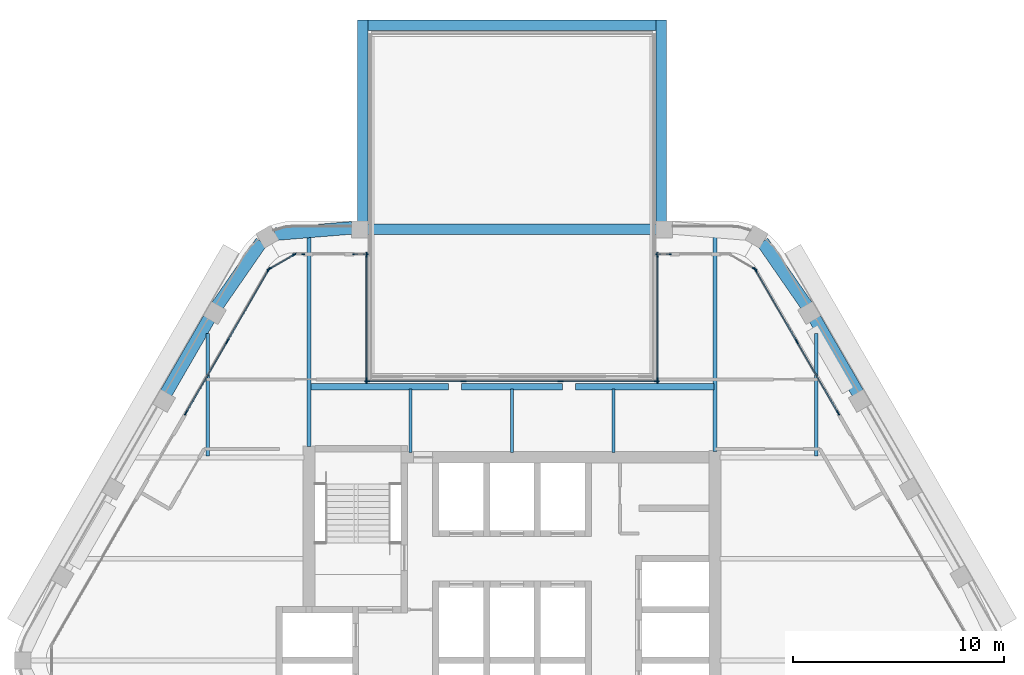
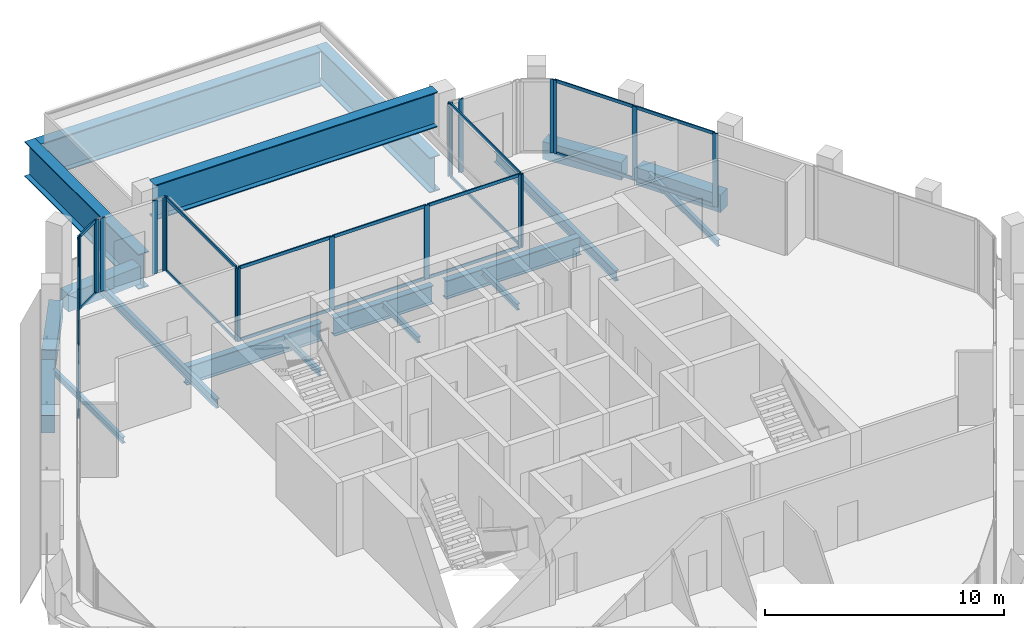
# One storey, part 5 of 16: 43 members, 19 beams, 10 elements without a shape of their own.
"""IFC4 building model written with IfcOpenShell, lengths in metres."""

from ifc_helpers import new_model, si_unit, direction, frame, origin, origin_2d, place, context, subcontext, project, spatial, rectangle, i_section, extrude, material, material_profile, profile_set, type_object, element, aggregate, save


model = new_model("IFC4")

# Units and contexts
model_context = context("Model", 3, precision=1e-05, world=origin(), true_north=direction((0.0, 1.0)))
body_context = subcontext(model_context, "Body", "Model", "MODEL_VIEW")
ifc_project = project(units=[si_unit("LENGTHUNIT", "METRE"), si_unit("AREAUNIT", "SQUARE_METRE"), si_unit("VOLUMEUNIT", "CUBIC_METRE"), si_unit("PLANEANGLEUNIT", "RADIAN"), si_unit("MASSUNIT", "GRAM", prefix="KILO")], contexts=[model_context])

# Site, building, storey
site_placement = place(None, origin())
site = spatial("IfcSite", under=ifc_project, at=site_placement, CompositionType="ELEMENT")
building_placement = place(site_placement, origin())
building = spatial("IfcBuilding", under=site, at=building_placement, Name="Kolab Exchange Tower", CompositionType="ELEMENT")
storey_placement = place(building_placement, frame((0.0, 0.0, 269.60009765625)))
storey = spatial("IfcBuildingStorey", under=building, at=storey_placement, Name="L60", CompositionType="ELEMENT", Elevation=269.60009765625)

# Beams
ifc_material_1 = material(Name="Steel S355", Category="steel")
ifc_material_profile_1 = material_profile(ifc_material_1, i_section(OverallWidth=0.1650390625, OverallDepth=0.31005859375, WebThickness=0.005859375, FlangeThickness=0.009765625, at=origin_2d()), Name="W310X39")
ifc_profile_set_1 = profile_set([ifc_material_profile_1], Name="Steel S355")
beam_type_1 = type_object("IfcBeamType", Name="FLOOR BEAM W310X39", PredefinedType="BEAM", material=ifc_profile_set_1)
beam_1_placement = place(storey_placement, frame((-14.39990234375, 9.674072265625, -0.30517578125), z_axis=(0.0, 1.0, 0.0), x_axis=(-1.0, 0.0, 0.0)))
element("IfcBeam", 1, at=beam_1_placement, inside=storey, type_object=beam_type_1, Name="beam/L60/fr/004", PredefinedType="BEAM", context=body_context, shape_type="SweptSolid", body=[
    extrude(i_section(OverallWidth=0.1650390625, OverallDepth=0.31005859375, WebThickness=0.005859375, FlangeThickness=0.009765625, at=origin_2d()), origin(), (0.0, 0.0, 1.0), 5.793701171875),
])
for number, where, z_axis, x_axis, name in (
    (2, (-4.800048828125, 9.8349609375, -0.30517578125), (0.0, 1.0, 0.0), (-1.0, 0.0, 0.0), "beam/L60/fr/008"),
    (3, (0.0, 9.8349609375, -0.30517578125), (0.0, 1.0, 0.0), (-1.0, 0.0, 0.0), "beam/L60/fr/010"),
    (4, (4.800048828125, 9.8349609375, -0.30517578125), (0.0, 1.0, 0.0), (-1.0, 0.0, 0.0), "beam/L60/fr/012"),
):
    element("IfcBeam", number, at=place(storey_placement, frame(where, z_axis=z_axis, x_axis=x_axis)), inside=storey, type_object=beam_type_1, Name=name, PredefinedType="BEAM", context=body_context, shape_type="SweptSolid", body=[
        extrude(i_section(OverallWidth=0.1650390625, OverallDepth=0.31005859375, WebThickness=0.005859375, FlangeThickness=0.009765625, at=origin_2d()), origin(), (0.0, 0.0, 1.0), 2.98974609375),
    ])
beam_2_placement = place(storey_placement, frame((14.39990234375, 9.674072265625, -0.30517578125), z_axis=(0.0, 1.0, 0.0), x_axis=(-1.0, 0.0, 0.0)))
element("IfcBeam", 5, at=beam_2_placement, inside=storey, type_object=beam_type_1, Name="beam/L60/fr/019", PredefinedType="BEAM", context=body_context, shape_type="SweptSolid", body=[
    extrude(i_section(OverallWidth=0.1650390625, OverallDepth=0.31005859375, WebThickness=0.005859375, FlangeThickness=0.009765625, at=origin_2d()), origin(), (0.0, 0.0, 1.0), 5.793701171875),
])
ifc_material_profile_2 = material_profile(ifc_material_1, i_section(OverallWidth=0.18994140625, OverallDepth=0.45703125, WebThickness=0.009033203125, FlangeThickness=0.014404296875, at=origin_2d()), Name="W460X74")
ifc_profile_set_2 = profile_set([ifc_material_profile_2], Name="Steel S355")
beam_type_2 = type_object("IfcBeamType", Name="FLOOR BEAM W460X74", PredefinedType="BEAM", material=ifc_profile_set_2)
beam_3_placement = place(storey_placement, frame((-9.60009765625, 10.110107421875, -0.378662109375), z_axis=(0.0, 1.0, 0.0), x_axis=(-1.0, 0.0, 0.0)))
element("IfcBeam", 6, at=beam_3_placement, inside=storey, type_object=beam_type_2, Name="beam/L60/fr/006", PredefinedType="BEAM", context=body_context, shape_type="SweptSolid", body=[
    extrude(i_section(OverallWidth=0.18994140625, OverallDepth=0.45703125, WebThickness=0.009033203125, FlangeThickness=0.014404296875, at=origin_2d()), origin(), (0.0, 0.0, 1.0), 9.9169921875),
])
ifc_material_profile_3 = material_profile(ifc_material_1, i_section(OverallWidth=0.208984375, OverallDepth=0.532958984375, WebThickness=0.01025390625, FlangeThickness=0.015625, at=origin_2d()), Name="W530X92")
ifc_profile_set_3 = profile_set([ifc_material_profile_3], Name="Steel S355")
beam_type_3 = type_object("IfcBeamType", Name="FLOOR BEAM W530X92", PredefinedType="BEAM", material=ifc_profile_set_3)
beam_4_placement = place(storey_placement, frame((9.60009765625, 9.885009765625, -0.41650390625), z_axis=(0.0, 1.0, 0.0), x_axis=(-1.0, 0.0, 0.0)))
element("IfcBeam", 7, at=beam_4_placement, inside=storey, type_object=beam_type_3, Name="beam/L60/fr/014", PredefinedType="BEAM", context=body_context, shape_type="SweptSolid", body=[
    extrude(i_section(OverallWidth=0.208984375, OverallDepth=0.532958984375, WebThickness=0.01025390625, FlangeThickness=0.015625, at=origin_2d()), origin(), (0.0, 0.0, 1.0), 10.14208984375),
])
ifc_material_profile_4 = material_profile(ifc_material_1, i_section(OverallWidth=0.30908203125, OverallDepth=0.93310546875, WebThickness=0.01806640625, FlangeThickness=0.027587890625, at=origin_2d()), Name="W920X238")
ifc_profile_set_4 = profile_set([ifc_material_profile_4], Name="Steel S355")
beam_type_4 = type_object("IfcBeamType", Name="FLOOR GIRDER W920X238", PredefinedType="BEAM", material=ifc_profile_set_4)
beam_5_placement = place(storey_placement, frame((-9.550048828125, 12.9345703125, -0.61669921875), z_axis=(1.0, 0.0, 0.0), x_axis=(0.0, 1.0, 0.0)))
element("IfcBeam", 8, at=beam_5_placement, inside=storey, type_object=beam_type_4, Name="beam/L60/basin-edge/0", PredefinedType="BEAM", context=body_context, shape_type="SweptSolid", body=[
    extrude(i_section(OverallWidth=0.30908203125, OverallDepth=0.93310546875, WebThickness=0.01806640625, FlangeThickness=0.027587890625, at=origin_2d()), origin(), (0.0, 0.0, 1.0), 6.5400390625),
])
beam_6_placement = place(storey_placement, frame((-2.389892578125, 12.9345703125, -0.61669921875), z_axis=(1.0, 0.0, 0.0), x_axis=(0.0, 1.0, 0.0)))
element("IfcBeam", 9, at=beam_6_placement, inside=storey, type_object=beam_type_4, Name="beam/L60/basin-edge/1", PredefinedType="BEAM", context=body_context, shape_type="SweptSolid", body=[
    extrude(i_section(OverallWidth=0.30908203125, OverallDepth=0.93310546875, WebThickness=0.01806640625, FlangeThickness=0.027587890625, at=origin_2d()), origin(), (0.0, 0.0, 1.0), 4.77978515625),
])
beam_7_placement = place(storey_placement, frame((3.010009765625, 12.9345703125, -0.61669921875), z_axis=(1.0, 0.0, 0.0), x_axis=(0.0, 1.0, 0.0)))
element("IfcBeam", 10, at=beam_7_placement, inside=storey, type_object=beam_type_4, Name="beam/L60/basin-edge/2", PredefinedType="BEAM", context=body_context, shape_type="SweptSolid", body=[
    extrude(i_section(OverallWidth=0.30908203125, OverallDepth=0.93310546875, WebThickness=0.01806640625, FlangeThickness=0.027587890625, at=origin_2d()), origin(), (0.0, 0.0, 1.0), 6.5400390625),
])
ifc_material_profile_5 = material_profile(ifc_material_1, i_section(OverallWidth=0.5, OverallDepth=1.800048828125, WebThickness=0.031982421875, FlangeThickness=0.050048828125, at=origin_2d()), Name="PG1800X500")
ifc_profile_set_5 = profile_set([ifc_material_profile_5], Name="Steel S355")
beam_type_5 = type_object("IfcBeamType", Name="POOL GIRDER PG1800X500", PredefinedType="BEAM", material=ifc_profile_set_5)
for number, where, z_axis, x_axis, name in (
    (11, (-7.050048828125, 20.74462890625, -0.900146484375), (0.0, 1.0, 0.0), (-1.0, 0.0, 0.0), "beam/L60/pool/W-edge"),
    (12, (7.050048828125, 20.74462890625, -0.900146484375), (0.0, 1.0, 0.0), (-1.0, 0.0, 0.0), "beam/L60/pool/E-edge"),
):
    element("IfcBeam", number, at=place(storey_placement, frame(where, z_axis=z_axis, x_axis=x_axis)), inside=storey, type_object=beam_type_5, Name=name, PredefinedType="BEAM", context=body_context, shape_type="SweptSolid", body=[
        extrude(i_section(OverallWidth=0.5, OverallDepth=1.800048828125, WebThickness=0.031982421875, FlangeThickness=0.050048828125, at=origin_2d()), origin(), (0.0, 0.0, 1.0), 9.5400390625),
    ])
beam_8_placement = place(storey_placement, frame((-6.840087890625, 30.03466796875, -0.900146484375), z_axis=(1.0, 0.0, 0.0), x_axis=(0.0, 1.0, 0.0)))
element("IfcBeam", 13, at=beam_8_placement, inside=storey, type_object=beam_type_5, Name="beam/L60/pool/tip-edge", PredefinedType="BEAM", context=body_context, shape_type="SweptSolid", body=[
    extrude(i_section(OverallWidth=0.5, OverallDepth=1.800048828125, WebThickness=0.031982421875, FlangeThickness=0.050048828125, at=origin_2d()), origin(), (0.0, 0.0, 1.0), 13.68017578125),
])
ifc_material_2 = material(Name="Concrete C50/60", Category="concrete")
ifc_material_profile_6 = material_profile(ifc_material_2, rectangle(XDim=0.60009765625, YDim=0.89990234375, at=origin_2d()), Name="RC600X900")
ifc_profile_set_6 = profile_set([ifc_material_profile_6], Name="Concrete C50/60")
beam_type_6 = type_object("IfcBeamType", Name="SPANDREL BEAM 600X900 C50/60", PredefinedType="BEAM", material=ifc_profile_set_6)
for number, where, z_axis, x_axis, name in (
    (14, (-11.216796875, 20.15576171875, -0.60009765625), (0.996666751878, 0.081580547323, 0.0), (-0.081580547323, 0.996666751878, 0.0), "beam/L60/sp/F1-01"),
    (15, (11.846923828125, 19.7919921875, -0.60009765625), (0.569005808573, -0.822333502789, 0.0), (0.822333502789, 0.569005808573, 0.0), "beam/L60/sp/F2-01"),
):
    element("IfcBeam", number, at=place(storey_placement, frame(where, z_axis=z_axis, x_axis=x_axis)), inside=storey, type_object=beam_type_6, Name=name, PredefinedType="BEAM", context=body_context, shape_type="SweptSolid", body=[
        extrude(rectangle(XDim=0.60009765625, YDim=0.89990234375, at=origin_2d()), origin(), (0.0, 0.0, 1.0), 3.6689453125),
    ])
for number, where, z_axis, x_axis, name in (
    (16, (14.3203125, 16.166015625, -0.60009765625), (0.499955548806, -0.866051066172, 0.0), (0.866051066172, 0.499955548806, 0.0), "beam/L60/sp/F2-02"),
    (17, (-16.360107421875, 12.632568359375, -0.60009765625), (0.499955548806, 0.866051066172, 0.0), (-0.866051066172, 0.499955548806, 0.0), "beam/L60/sp/F6-04"),
):
    element("IfcBeam", number, at=place(storey_placement, frame(where, z_axis=z_axis, x_axis=x_axis)), inside=storey, type_object=beam_type_6, Name=name, PredefinedType="BEAM", context=body_context, shape_type="SweptSolid", body=[
        extrude(rectangle(XDim=0.60009765625, YDim=0.89990234375, at=origin_2d()), origin(), (0.0, 0.0, 1.0), 4.079833984375),
    ])
beam_9_placement = place(storey_placement, frame((-13.9345703125, 16.77490234375, -0.60009765625), z_axis=(0.569005808573, 0.822333502789, 0.0), x_axis=(-0.822333502789, 0.569005808573, 0.0)))
element("IfcBeam", 18, at=beam_9_placement, inside=storey, type_object=beam_type_6, Name="beam/L60/sp/F6-05", PredefinedType="BEAM", context=body_context, shape_type="SweptSolid", body=[
    extrude(rectangle(XDim=0.60009765625, YDim=0.89990234375, at=origin_2d()), origin(), (0.0, 0.0, 1.0), 3.6689453125),
])
ifc_material_profile_7 = material_profile(ifc_material_1, i_section(OverallWidth=0.5, OverallDepth=1.800048828125, WebThickness=0.031982421875, FlangeThickness=0.050048828125, at=origin_2d()), Name="PG1800X500")
ifc_profile_set_7 = profile_set([ifc_material_profile_7], Name="Steel S355")
beam_type_7 = type_object("IfcBeamType", Name="TRANSFER GIRDER PG1800X500", PredefinedType="BEAM", material=ifc_profile_set_7)
beam_10_placement = place(storey_placement, frame((-6.840087890625, 20.384521484375, 2.849853515625), z_axis=(1.0, 0.0, 0.0), x_axis=(0.0, 1.0, 0.0)))
element("IfcBeam", 19, at=beam_10_placement, inside=storey, type_object=beam_type_7, Name="beam/L60/pool/tg", PredefinedType="BEAM", context=body_context, shape_type="SweptSolid", body=[
    extrude(i_section(OverallWidth=0.5, OverallDepth=1.800048828125, WebThickness=0.031982421875, FlangeThickness=0.050048828125, at=origin_2d()), origin(), (0.0, 0.0, 1.0), 13.68017578125),
])

# Curtain wall, members
ifc_material_3 = material(Name="Aluminium EN AW-6063 T6", Category="aluminium")
curtain_wall_type = type_object("IfcCurtainWallType", Name="UNITISED HIGH ZONE CURTAIN WALL", PredefinedType="NOTDEFINED", material=ifc_material_3)
curtain_wall_1_placement = place(storey_placement, origin())
curtain_wall_1 = element("IfcCurtainWall", 20, at=curtain_wall_1_placement, inside=storey, type_object=curtain_wall_type, Name="cw/L60/F1-l-1", PredefinedType="NOTDEFINED")
ifc_material_profile_8 = material_profile(ifc_material_3, rectangle(XDim=0.06005859375, YDim=0.239990234375, at=origin_2d()), Name="RECT 60X240")
ifc_profile_set_8 = profile_set([ifc_material_profile_8], Name="Aluminium EN AW-6063 T6")
member_type_1 = type_object("IfcMemberType", Name="UNITISED HIGH ZONE MULLION 60 X 240", PredefinedType="MULLION", material=ifc_profile_set_8)
member_1_placement = place(storey_placement, frame((-10.238037109375, 19.20458984375, 0.0), z_axis=(0.0, 0.0, 1.0), x_axis=(0.0, 1.0, 0.0)))
member_1 = element("IfcMember", 21, at=member_1_placement, type_object=member_type_1, Name="CW4 mullion 1", PredefinedType="MULLION", context=body_context, shape_type="SweptSolid", body=[
    extrude(rectangle(XDim=0.06005859375, YDim=0.239990234375, at=origin_2d()), origin(), (0.0, 0.0, 1.0), 3.75),
])
member_2_placement = place(storey_placement, frame((-9.927978515625, 19.20458984375, 0.0), z_axis=(0.0, 0.0, 1.0), x_axis=(0.0, 1.0, 0.0)))
member_2 = element("IfcMember", 22, at=member_2_placement, type_object=member_type_1, Name="CW4 mullion 2", PredefinedType="MULLION", context=body_context, shape_type="SweptSolid", body=[
    extrude(rectangle(XDim=0.06005859375, YDim=0.239990234375, at=origin_2d()), origin(), (0.0, 0.0, 1.0), 3.75),
])
aggregate(curtain_wall_1, [member_1, member_2])

curtain_wall_2_placement = place(storey_placement, origin())
curtain_wall_2 = element("IfcCurtainWall", 23, at=curtain_wall_2_placement, inside=storey, type_object=curtain_wall_type, Name="cw/L60/F1-l-2", PredefinedType="NOTDEFINED")
member_3_placement = place(storey_placement, frame((-7.407958984375, 19.20458984375, 0.0), z_axis=(0.0, 0.0, 1.0), x_axis=(0.0, 1.0, 0.0)))
member_3 = element("IfcMember", 24, at=member_3_placement, type_object=member_type_1, Name="CW4 mullion 1", PredefinedType="MULLION", context=body_context, shape_type="SweptSolid", body=[
    extrude(rectangle(XDim=0.06005859375, YDim=0.239990234375, at=origin_2d()), origin(), (0.0, 0.0, 1.0), 3.75),
])
member_4_placement = place(storey_placement, frame((-6.909912109375, 19.20458984375, 0.0), z_axis=(0.0, 0.0, 1.0), x_axis=(0.0, 1.0, 0.0)))
member_4 = element("IfcMember", 25, at=member_4_placement, type_object=member_type_1, Name="CW4 mullion 2", PredefinedType="MULLION", context=body_context, shape_type="SweptSolid", body=[
    extrude(rectangle(XDim=0.06005859375, YDim=0.239990234375, at=origin_2d()), origin(), (0.0, 0.0, 1.0), 3.75),
])
aggregate(curtain_wall_2, [member_3, member_4])

curtain_wall_3_placement = place(storey_placement, origin())
curtain_wall_3 = element("IfcCurtainWall", 26, at=curtain_wall_3_placement, inside=storey, type_object=curtain_wall_type, Name="cw/L60/F1-rl-1", PredefinedType="NOTDEFINED")
member_5_placement = place(storey_placement, frame((-6.8798828125, 19.174560546875, 0.0), z_axis=(0.0, 0.0, 1.0), x_axis=(1.0, 0.0, 0.0)))
member_5 = element("IfcMember", 27, at=member_5_placement, type_object=member_type_1, Name="CW4 mullion 1", PredefinedType="MULLION", context=body_context, shape_type="SweptSolid", body=[
    extrude(rectangle(XDim=0.06005859375, YDim=0.239990234375, at=origin_2d()), origin(), (0.0, 0.0, 1.0), 3.75),
])
member_6_placement = place(storey_placement, frame((-6.8798828125, 13.234619140625, 0.0), z_axis=(0.0, 0.0, 1.0), x_axis=(1.0, 0.0, 0.0)))
member_6 = element("IfcMember", 28, at=member_6_placement, type_object=member_type_1, Name="CW4 mullion 2", PredefinedType="MULLION", context=body_context, shape_type="SweptSolid", body=[
    extrude(rectangle(XDim=0.06005859375, YDim=0.239990234375, at=origin_2d()), origin(), (0.0, 0.0, 1.0), 3.75),
])

curtain_wall_4_placement = place(storey_placement, origin())
curtain_wall_4 = element("IfcCurtainWall", 29, at=curtain_wall_4_placement, inside=storey, type_object=curtain_wall_type, Name="cw/L60/F1-back-1", PredefinedType="NOTDEFINED")
member_7_placement = place(storey_placement, frame((-6.85009765625, 13.20458984375, 0.0), z_axis=(0.0, 0.0, 1.0), x_axis=(0.0, 1.0, 0.0)))
member_7 = element("IfcMember", 30, at=member_7_placement, type_object=member_type_1, Name="CW4 mullion 1", PredefinedType="MULLION", context=body_context, shape_type="SweptSolid", body=[
    extrude(rectangle(XDim=0.06005859375, YDim=0.239990234375, at=origin_2d()), origin(), (0.0, 0.0, 1.0), 3.75),
])
member_8_placement = place(storey_placement, frame((-2.293212890625, 13.20458984375, 0.0), z_axis=(0.0, 0.0, 1.0), x_axis=(0.0, 1.0, 0.0)))
member_8 = element("IfcMember", 31, at=member_8_placement, type_object=member_type_1, Name="CW4 mullion 2", PredefinedType="MULLION", context=body_context, shape_type="SweptSolid", body=[
    extrude(rectangle(XDim=0.06005859375, YDim=0.239990234375, at=origin_2d()), origin(), (0.0, 0.0, 1.0), 3.75),
])
member_9_placement = place(storey_placement, frame((2.293212890625, 13.20458984375, 0.0), z_axis=(0.0, 0.0, 1.0), x_axis=(0.0, 1.0, 0.0)))
member_9 = element("IfcMember", 32, at=member_9_placement, type_object=member_type_1, Name="CW4 mullion 3", PredefinedType="MULLION", context=body_context, shape_type="SweptSolid", body=[
    extrude(rectangle(XDim=0.06005859375, YDim=0.239990234375, at=origin_2d()), origin(), (0.0, 0.0, 1.0), 3.75),
])
member_10_placement = place(storey_placement, frame((6.85009765625, 13.20458984375, 0.0), z_axis=(0.0, 0.0, 1.0), x_axis=(0.0, 1.0, 0.0)))
member_10 = element("IfcMember", 33, at=member_10_placement, type_object=member_type_1, Name="CW4 mullion 4", PredefinedType="MULLION", context=body_context, shape_type="SweptSolid", body=[
    extrude(rectangle(XDim=0.06005859375, YDim=0.239990234375, at=origin_2d()), origin(), (0.0, 0.0, 1.0), 3.75),
])

curtain_wall_5_placement = place(storey_placement, origin())
curtain_wall_5 = element("IfcCurtainWall", 34, at=curtain_wall_5_placement, inside=storey, type_object=curtain_wall_type, Name="cw/L60/F1-rr-1", PredefinedType="NOTDEFINED")
member_11_placement = place(storey_placement, frame((6.8798828125, 13.234619140625, 0.0), z_axis=(0.0, 0.0, 1.0), x_axis=(-1.0, 0.0, 0.0)))
member_11 = element("IfcMember", 35, at=member_11_placement, type_object=member_type_1, Name="CW4 mullion 1", PredefinedType="MULLION", context=body_context, shape_type="SweptSolid", body=[
    extrude(rectangle(XDim=0.06005859375, YDim=0.239990234375, at=origin_2d()), origin(), (0.0, 0.0, 1.0), 3.75),
])
member_12_placement = place(storey_placement, frame((6.8798828125, 19.174560546875, 0.0), z_axis=(0.0, 0.0, 1.0), x_axis=(-1.0, 0.0, 0.0)))
member_12 = element("IfcMember", 36, at=member_12_placement, type_object=member_type_1, Name="CW4 mullion 2", PredefinedType="MULLION", context=body_context, shape_type="SweptSolid", body=[
    extrude(rectangle(XDim=0.06005859375, YDim=0.239990234375, at=origin_2d()), origin(), (0.0, 0.0, 1.0), 3.75),
])

curtain_wall_6_placement = place(storey_placement, origin())
curtain_wall_6 = element("IfcCurtainWall", 37, at=curtain_wall_6_placement, inside=storey, type_object=curtain_wall_type, Name="cw/L60/F1-r-1", PredefinedType="NOTDEFINED")
member_13_placement = place(storey_placement, frame((6.909912109375, 19.20458984375, 0.0), z_axis=(0.0, 0.0, 1.0), x_axis=(0.0, 1.0, 0.0)))
member_13 = element("IfcMember", 38, at=member_13_placement, type_object=member_type_1, Name="CW4 mullion 1", PredefinedType="MULLION", context=body_context, shape_type="SweptSolid", body=[
    extrude(rectangle(XDim=0.06005859375, YDim=0.239990234375, at=origin_2d()), origin(), (0.0, 0.0, 1.0), 3.75),
])
member_14_placement = place(storey_placement, frame((7.419921875, 19.20458984375, 0.0), z_axis=(0.0, 0.0, 1.0), x_axis=(0.0, 1.0, 0.0)))
member_14 = element("IfcMember", 39, at=member_14_placement, type_object=member_type_1, Name="CW4 mullion 2", PredefinedType="MULLION", context=body_context, shape_type="SweptSolid", body=[
    extrude(rectangle(XDim=0.06005859375, YDim=0.239990234375, at=origin_2d()), origin(), (0.0, 0.0, 1.0), 3.75),
])
aggregate(curtain_wall_6, [member_13, member_14])

curtain_wall_7_placement = place(storey_placement, origin())
curtain_wall_7 = element("IfcCurtainWall", 40, at=curtain_wall_7_placement, inside=storey, type_object=curtain_wall_type, Name="cw/L60/F2-1", PredefinedType="NOTDEFINED")
member_15_placement = place(storey_placement, frame((11.5126953125, 18.46875, 0.0), z_axis=(0.0, 0.0, 1.0), x_axis=(0.866025385493, 0.500000031681, 0.0)))
member_15 = element("IfcMember", 41, at=member_15_placement, type_object=member_type_1, Name="CW4 mullion 1", PredefinedType="MULLION", context=body_context, shape_type="SweptSolid", body=[
    extrude(rectangle(XDim=0.06005859375, YDim=0.239990234375, at=origin_2d()), origin(), (0.0, 0.0, 1.0), 3.75),
])
member_16_placement = place(storey_placement, frame((13.464599609375, 15.087646484375, 0.0), z_axis=(0.0, 0.0, 1.0), x_axis=(0.866025385493, 0.500000031681, 0.0)))
member_16 = element("IfcMember", 42, at=member_16_placement, type_object=member_type_1, Name="CW4 mullion 2", PredefinedType="MULLION", context=body_context, shape_type="SweptSolid", body=[
    extrude(rectangle(XDim=0.06005859375, YDim=0.239990234375, at=origin_2d()), origin(), (0.0, 0.0, 1.0), 3.75),
])
member_17_placement = place(storey_placement, frame((15.416748046875, 11.706787109375, 0.0), z_axis=(0.0, 0.0, 1.0), x_axis=(0.866025385493, 0.500000031681, 0.0)))
member_17 = element("IfcMember", 43, at=member_17_placement, type_object=member_type_1, Name="CW4 mullion 3", PredefinedType="MULLION", context=body_context, shape_type="SweptSolid", body=[
    extrude(rectangle(XDim=0.06005859375, YDim=0.239990234375, at=origin_2d()), origin(), (0.0, 0.0, 1.0), 3.75),
])

curtain_wall_8_placement = place(storey_placement, origin())
curtain_wall_8 = element("IfcCurtainWall", 44, at=curtain_wall_8_placement, inside=storey, type_object=curtain_wall_type, Name="cw/L60/F6-2", PredefinedType="NOTDEFINED")
member_18_placement = place(storey_placement, frame((-15.416748046875, 11.706787109375, 0.0), z_axis=(0.0, 0.0, 1.0), x_axis=(-0.866025385493, 0.500000031681, 0.0)))
member_18 = element("IfcMember", 45, at=member_18_placement, type_object=member_type_1, Name="CW4 mullion 1", PredefinedType="MULLION", context=body_context, shape_type="SweptSolid", body=[
    extrude(rectangle(XDim=0.06005859375, YDim=0.239990234375, at=origin_2d()), origin(), (0.0, 0.0, 1.0), 3.75),
])
member_19_placement = place(storey_placement, frame((-13.464599609375, 15.087646484375, 0.0), z_axis=(0.0, 0.0, 1.0), x_axis=(-0.866025385493, 0.500000031681, 0.0)))
member_19 = element("IfcMember", 46, at=member_19_placement, type_object=member_type_1, Name="CW4 mullion 2", PredefinedType="MULLION", context=body_context, shape_type="SweptSolid", body=[
    extrude(rectangle(XDim=0.06005859375, YDim=0.239990234375, at=origin_2d()), origin(), (0.0, 0.0, 1.0), 3.75),
])
member_20_placement = place(storey_placement, frame((-11.5126953125, 18.46875, 0.0), z_axis=(0.0, 0.0, 1.0), x_axis=(-0.866025385493, 0.500000031681, 0.0)))
member_20 = element("IfcMember", 47, at=member_20_placement, type_object=member_type_1, Name="CW4 mullion 3", PredefinedType="MULLION", context=body_context, shape_type="SweptSolid", body=[
    extrude(rectangle(XDim=0.06005859375, YDim=0.239990234375, at=origin_2d()), origin(), (0.0, 0.0, 1.0), 3.75),
])

# Curtain wall, member
curtain_wall_9_placement = place(storey_placement, origin())
curtain_wall_9 = element("IfcCurtainWall", 48, at=curtain_wall_9_placement, inside=storey, type_object=curtain_wall_type, Name="cw/L60/F1F2-corner", PredefinedType="NOTDEFINED")
member_21_placement = place(storey_placement, frame((11.4716796875, 18.509521484375, 0.0), z_axis=(0.0, 0.0, 1.0), x_axis=(0.50000002237, 0.866025390869, 0.0)))
member_21 = element("IfcMember", 49, at=member_21_placement, type_object=member_type_1, Name="CW4 mullion 2", PredefinedType="MULLION", context=body_context, shape_type="SweptSolid", body=[
    extrude(rectangle(XDim=0.06005859375, YDim=0.239990234375, at=origin_2d()), origin(), (0.0, 0.0, 1.0), 3.75),
])
aggregate(curtain_wall_9, [member_21])

# Curtain wall, members
curtain_wall_10_placement = place(storey_placement, origin())
curtain_wall_10 = element("IfcCurtainWall", 50, at=curtain_wall_10_placement, inside=storey, type_object=curtain_wall_type, Name="cw/L60/F6F1-corner", PredefinedType="NOTDEFINED")
member_22_placement = place(storey_placement, frame((-11.4716796875, 18.509521484375, 0.0), z_axis=(0.0, 0.0, 1.0), x_axis=(-0.50000002237, 0.866025390869, 0.0)))
member_22 = element("IfcMember", 51, at=member_22_placement, type_object=member_type_1, Name="CW4 mullion 1", PredefinedType="MULLION", context=body_context, shape_type="SweptSolid", body=[
    extrude(rectangle(XDim=0.06005859375, YDim=0.239990234375, at=origin_2d()), origin(), (0.0, 0.0, 1.0), 3.75),
])
member_23_placement = place(storey_placement, frame((-10.2939453125, 19.189697265625, 0.0), z_axis=(0.0, 0.0, 1.0), x_axis=(-0.50000002237, 0.866025390869, 0.0)))
member_23 = element("IfcMember", 52, at=member_23_placement, type_object=member_type_1, Name="CW4 mullion 2", PredefinedType="MULLION", context=body_context, shape_type="SweptSolid", body=[
    extrude(rectangle(XDim=0.06005859375, YDim=0.239990234375, at=origin_2d()), origin(), (0.0, 0.0, 1.0), 3.75),
])

# Member
ifc_material_profile_9 = material_profile(ifc_material_3, rectangle(XDim=0.06005859375, YDim=0.159912109375, at=origin_2d()), Name="RECT 60X160")
ifc_profile_set_9 = profile_set([ifc_material_profile_9], Name="Aluminium EN AW-6063 T6")
member_type_2 = type_object("IfcMemberType", Name="UNITISED HIGH ZONE TRANSOM 60 X 160", PredefinedType="USERDEFINED", material=ifc_profile_set_9)
member_24_placement = place(storey_placement, frame((-6.8798828125, 19.14453125, 0.02978515625), z_axis=(0.0, -1.0, 0.0), x_axis=(1.0, 0.0, 0.0)))
member_24 = element("IfcMember", 53, at=member_24_placement, type_object=member_type_2, Name="CW4 transom 1.1", ObjectType="TRANSOM", PredefinedType="USERDEFINED", context=body_context, shape_type="SweptSolid", body=[
    extrude(rectangle(XDim=0.06005859375, YDim=0.159912109375, at=origin_2d()), origin(), (0.0, 0.0, 1.0), 5.8798828125),
])

member_25_placement = place(storey_placement, frame((-6.8798828125, 19.14453125, 3.719970703125), z_axis=(0.0, -1.0, 0.0), x_axis=(1.0, 0.0, 0.0)))
member_25 = element("IfcMember", 54, at=member_25_placement, type_object=member_type_2, Name="CW4 transom 1.2", ObjectType="TRANSOM", PredefinedType="USERDEFINED", context=body_context, shape_type="SweptSolid", body=[
    extrude(rectangle(XDim=0.06005859375, YDim=0.159912109375, at=origin_2d()), origin(), (0.0, 0.0, 1.0), 5.8798828125),
])

aggregate(curtain_wall_3, [member_5, member_6, member_24, member_25])

member_26_placement = place(storey_placement, frame((-6.820068359375, 13.20458984375, 0.02978515625), z_axis=(1.0, 0.0, 0.0), x_axis=(0.0, 1.0, 0.0)))
member_26 = element("IfcMember", 55, at=member_26_placement, type_object=member_type_2, Name="CW4 transom 1.1", ObjectType="TRANSOM", PredefinedType="USERDEFINED", context=body_context, shape_type="SweptSolid", body=[
    extrude(rectangle(XDim=0.06005859375, YDim=0.159912109375, at=origin_2d()), origin(), (0.0, 0.0, 1.0), 4.496826171875),
])

member_27_placement = place(storey_placement, frame((-6.820068359375, 13.20458984375, 3.719970703125), z_axis=(1.0, 0.0, 0.0), x_axis=(0.0, 1.0, 0.0)))
member_27 = element("IfcMember", 56, at=member_27_placement, type_object=member_type_2, Name="CW4 transom 1.2", ObjectType="TRANSOM", PredefinedType="USERDEFINED", context=body_context, shape_type="SweptSolid", body=[
    extrude(rectangle(XDim=0.06005859375, YDim=0.159912109375, at=origin_2d()), origin(), (0.0, 0.0, 1.0), 4.496826171875),
])

member_28_placement = place(storey_placement, frame((-2.263427734375, 13.20458984375, 0.02978515625), z_axis=(1.0, 0.0, 0.0), x_axis=(0.0, 1.0, 0.0)))
member_28 = element("IfcMember", 57, at=member_28_placement, type_object=member_type_2, Name="CW4 transom 2.1", ObjectType="TRANSOM", PredefinedType="USERDEFINED", context=body_context, shape_type="SweptSolid", body=[
    extrude(rectangle(XDim=0.06005859375, YDim=0.159912109375, at=origin_2d()), origin(), (0.0, 0.0, 1.0), 4.52685546875),
])

member_29_placement = place(storey_placement, frame((-2.263427734375, 13.20458984375, 3.719970703125), z_axis=(1.0, 0.0, 0.0), x_axis=(0.0, 1.0, 0.0)))
member_29 = element("IfcMember", 58, at=member_29_placement, type_object=member_type_2, Name="CW4 transom 2.2", ObjectType="TRANSOM", PredefinedType="USERDEFINED", context=body_context, shape_type="SweptSolid", body=[
    extrude(rectangle(XDim=0.06005859375, YDim=0.159912109375, at=origin_2d()), origin(), (0.0, 0.0, 1.0), 4.52685546875),
])

member_30_placement = place(storey_placement, frame((2.3232421875, 13.20458984375, 0.02978515625), z_axis=(1.0, 0.0, 0.0), x_axis=(0.0, 1.0, 0.0)))
member_30 = element("IfcMember", 59, at=member_30_placement, type_object=member_type_2, Name="CW4 transom 3.1", ObjectType="TRANSOM", PredefinedType="USERDEFINED", context=body_context, shape_type="SweptSolid", body=[
    extrude(rectangle(XDim=0.06005859375, YDim=0.159912109375, at=origin_2d()), origin(), (0.0, 0.0, 1.0), 4.496826171875),
])

member_31_placement = place(storey_placement, frame((2.3232421875, 13.20458984375, 3.719970703125), z_axis=(1.0, 0.0, 0.0), x_axis=(0.0, 1.0, 0.0)))
member_31 = element("IfcMember", 60, at=member_31_placement, type_object=member_type_2, Name="CW4 transom 3.2", ObjectType="TRANSOM", PredefinedType="USERDEFINED", context=body_context, shape_type="SweptSolid", body=[
    extrude(rectangle(XDim=0.06005859375, YDim=0.159912109375, at=origin_2d()), origin(), (0.0, 0.0, 1.0), 4.496826171875),
])

aggregate(curtain_wall_4, [member_7, member_8, member_9, member_10, member_26, member_27, member_28, member_29, member_30, member_31])

member_32_placement = place(storey_placement, frame((6.8798828125, 13.2646484375, 0.02978515625), z_axis=(0.0, 1.0, 0.0), x_axis=(-1.0, 0.0, 0.0)))
member_32 = element("IfcMember", 61, at=member_32_placement, type_object=member_type_2, Name="CW4 transom 1.1", ObjectType="TRANSOM", PredefinedType="USERDEFINED", context=body_context, shape_type="SweptSolid", body=[
    extrude(rectangle(XDim=0.06005859375, YDim=0.159912109375, at=origin_2d()), origin(), (0.0, 0.0, 1.0), 5.8798828125),
])

member_33_placement = place(storey_placement, frame((6.8798828125, 13.2646484375, 3.719970703125), z_axis=(0.0, 1.0, 0.0), x_axis=(-1.0, 0.0, 0.0)))
member_33 = element("IfcMember", 62, at=member_33_placement, type_object=member_type_2, Name="CW4 transom 1.2", ObjectType="TRANSOM", PredefinedType="USERDEFINED", context=body_context, shape_type="SweptSolid", body=[
    extrude(rectangle(XDim=0.06005859375, YDim=0.159912109375, at=origin_2d()), origin(), (0.0, 0.0, 1.0), 5.8798828125),
])

aggregate(curtain_wall_5, [member_11, member_12, member_32, member_33])

member_34_placement = place(storey_placement, frame((11.527587890625, 18.442626953125, 0.02978515625), z_axis=(0.500039492609, -0.866002601515, 0.0), x_axis=(0.866002601515, 0.500039492609, 0.0)))
member_34 = element("IfcMember", 63, at=member_34_placement, type_object=member_type_2, Name="CW4 transom 1.1", ObjectType="TRANSOM", PredefinedType="USERDEFINED", context=body_context, shape_type="SweptSolid", body=[
    extrude(rectangle(XDim=0.06005859375, YDim=0.159912109375, at=origin_2d()), origin(), (0.0, 0.0, 1.0), 3.843994140625),
])

member_35_placement = place(storey_placement, frame((11.527587890625, 18.442626953125, 3.719970703125), z_axis=(0.500039492609, -0.866002601515, 0.0), x_axis=(0.866002601515, 0.500039492609, 0.0)))
member_35 = element("IfcMember", 64, at=member_35_placement, type_object=member_type_2, Name="CW4 transom 1.2", ObjectType="TRANSOM", PredefinedType="USERDEFINED", context=body_context, shape_type="SweptSolid", body=[
    extrude(rectangle(XDim=0.06005859375, YDim=0.159912109375, at=origin_2d()), origin(), (0.0, 0.0, 1.0), 3.843994140625),
])

member_36_placement = place(storey_placement, frame((13.479736328125, 15.061767578125, 0.02978515625), z_axis=(0.499964356602, -0.866045981532, 0.0), x_axis=(0.866045981532, 0.499964356602, 0.0)))
member_36 = element("IfcMember", 65, at=member_36_placement, type_object=member_type_2, Name="CW4 transom 2.1", ObjectType="TRANSOM", PredefinedType="USERDEFINED", context=body_context, shape_type="SweptSolid", body=[
    extrude(rectangle(XDim=0.06005859375, YDim=0.159912109375, at=origin_2d()), origin(), (0.0, 0.0, 1.0), 3.843994140625),
])

member_37_placement = place(storey_placement, frame((13.479736328125, 15.061767578125, 3.719970703125), z_axis=(0.499964356602, -0.866045981532, 0.0), x_axis=(0.866045981532, 0.499964356602, 0.0)))
member_37 = element("IfcMember", 66, at=member_37_placement, type_object=member_type_2, Name="CW4 transom 2.2", ObjectType="TRANSOM", PredefinedType="USERDEFINED", context=body_context, shape_type="SweptSolid", body=[
    extrude(rectangle(XDim=0.06005859375, YDim=0.159912109375, at=origin_2d()), origin(), (0.0, 0.0, 1.0), 3.843994140625),
])

aggregate(curtain_wall_7, [member_15, member_16, member_17, member_34, member_35, member_36, member_37])

member_38_placement = place(storey_placement, frame((-15.401611328125, 11.732666015625, 0.02978515625), z_axis=(0.499964356602, 0.866045981532, 0.0), x_axis=(-0.866045981532, 0.499964356602, 0.0)))
member_38 = element("IfcMember", 67, at=member_38_placement, type_object=member_type_2, Name="CW4 transom 1.1", ObjectType="TRANSOM", PredefinedType="USERDEFINED", context=body_context, shape_type="SweptSolid", body=[
    extrude(rectangle(XDim=0.06005859375, YDim=0.159912109375, at=origin_2d()), origin(), (0.0, 0.0, 1.0), 3.843994140625),
])

member_39_placement = place(storey_placement, frame((-15.401611328125, 11.732666015625, 3.719970703125), z_axis=(0.499964356602, 0.866045981532, 0.0), x_axis=(-0.866045981532, 0.499964356602, 0.0)))
member_39 = element("IfcMember", 68, at=member_39_placement, type_object=member_type_2, Name="CW4 transom 1.2", ObjectType="TRANSOM", PredefinedType="USERDEFINED", context=body_context, shape_type="SweptSolid", body=[
    extrude(rectangle(XDim=0.06005859375, YDim=0.159912109375, at=origin_2d()), origin(), (0.0, 0.0, 1.0), 3.843994140625),
])

member_40_placement = place(storey_placement, frame((-13.44970703125, 15.11376953125, 0.02978515625), z_axis=(0.500039492609, 0.866002601515, 0.0), x_axis=(-0.866002601515, 0.500039492609, 0.0)))
member_40 = element("IfcMember", 69, at=member_40_placement, type_object=member_type_2, Name="CW4 transom 2.1", ObjectType="TRANSOM", PredefinedType="USERDEFINED", context=body_context, shape_type="SweptSolid", body=[
    extrude(rectangle(XDim=0.06005859375, YDim=0.159912109375, at=origin_2d()), origin(), (0.0, 0.0, 1.0), 3.843994140625),
])

member_41_placement = place(storey_placement, frame((-13.44970703125, 15.11376953125, 3.719970703125), z_axis=(0.500039492609, 0.866002601515, 0.0), x_axis=(-0.866002601515, 0.500039492609, 0.0)))
member_41 = element("IfcMember", 70, at=member_41_placement, type_object=member_type_2, Name="CW4 transom 2.2", ObjectType="TRANSOM", PredefinedType="USERDEFINED", context=body_context, shape_type="SweptSolid", body=[
    extrude(rectangle(XDim=0.06005859375, YDim=0.159912109375, at=origin_2d()), origin(), (0.0, 0.0, 1.0), 3.843994140625),
])

aggregate(curtain_wall_8, [member_18, member_19, member_20, member_38, member_39, member_40, member_41])

member_42_placement = place(storey_placement, frame((-11.44580078125, 18.524658203125, 0.02978515625), z_axis=(0.866085525409, 0.49989585183, 0.0), x_axis=(-0.49989585183, 0.866085525409, 0.0)))
member_42 = element("IfcMember", 71, at=member_42_placement, type_object=member_type_2, Name="CW4 transom 1.1", ObjectType="TRANSOM", PredefinedType="USERDEFINED", context=body_context, shape_type="SweptSolid", body=[
    extrude(rectangle(XDim=0.06005859375, YDim=0.159912109375, at=origin_2d()), origin(), (0.0, 0.0, 1.0), 1.300048828125),
])

member_43_placement = place(storey_placement, frame((-11.44580078125, 18.524658203125, 3.719970703125), z_axis=(0.866085525409, 0.49989585183, 0.0), x_axis=(-0.49989585183, 0.866085525409, 0.0)))
member_43 = element("IfcMember", 72, at=member_43_placement, type_object=member_type_2, Name="CW4 transom 1.2", ObjectType="TRANSOM", PredefinedType="USERDEFINED", context=body_context, shape_type="SweptSolid", body=[
    extrude(rectangle(XDim=0.06005859375, YDim=0.159912109375, at=origin_2d()), origin(), (0.0, 0.0, 1.0), 1.300048828125),
])

aggregate(curtain_wall_10, [member_22, member_23, member_42, member_43])

save(model, "model.ifc")
